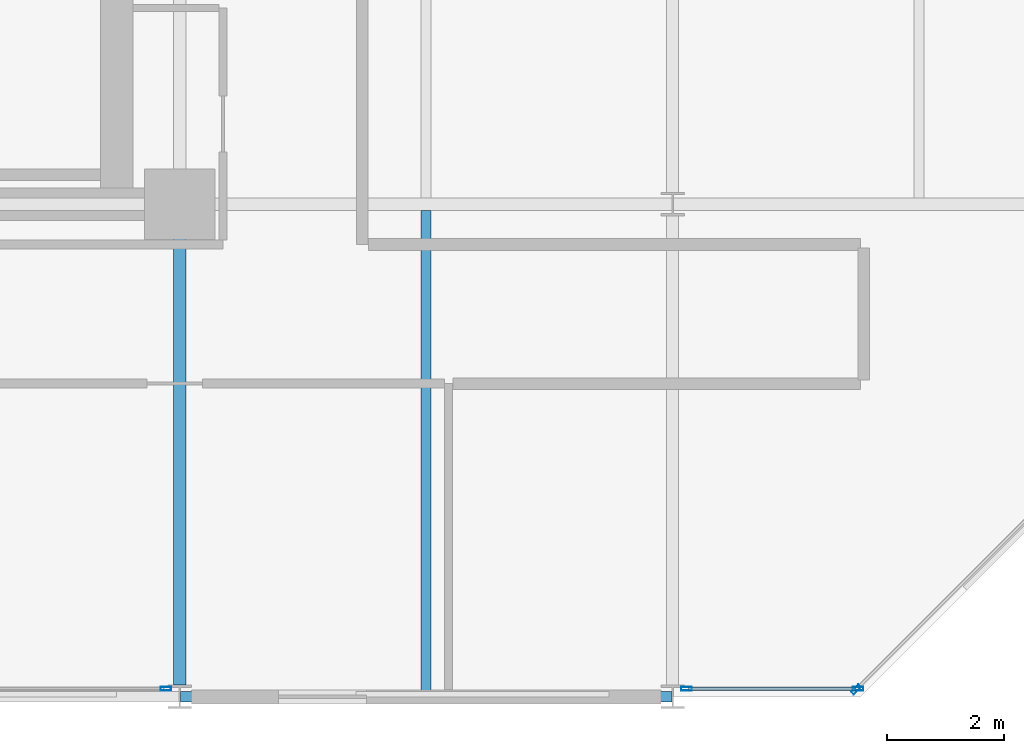
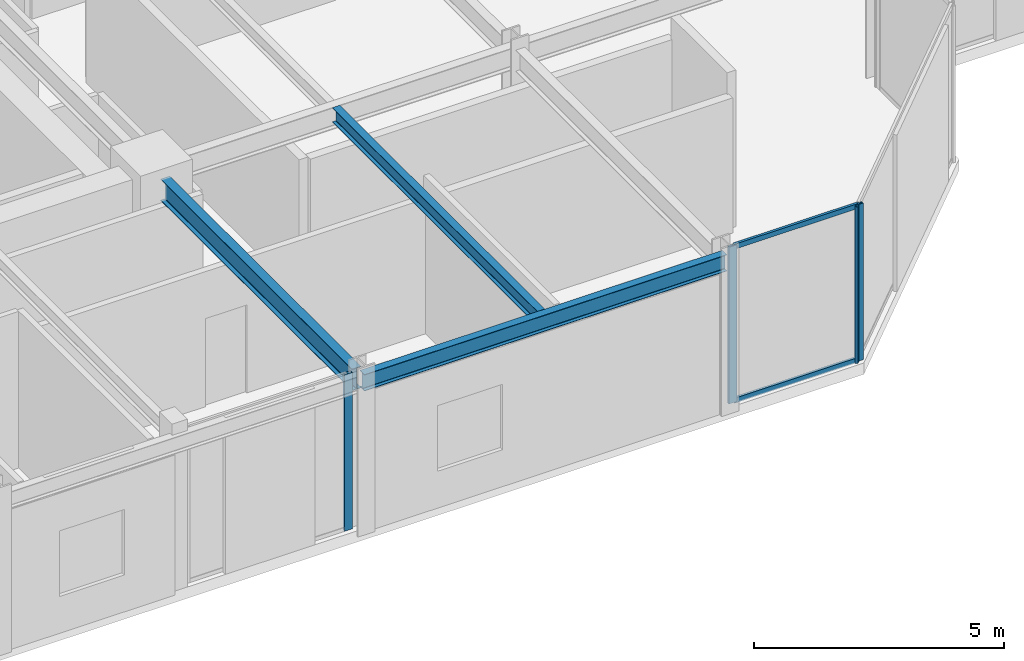
# One storey, part 16 of 38: 6 members, 3 beams, 3 elements without a shape of their own.
"""IFC4 building model written with IfcOpenShell, lengths in metres."""

import ifcopenshell
import ifcopenshell.guid

model = None  # the IFC model being written
_history = None  # IfcOwnerHistory: only IFC2X3 demands one
_inside = {}  # id of a spatial element -> (the spatial element, [elements in it])
_under = {}  # id of a project, library or spatial element -> (it, [spatial elements below it])
_declared = {}  # id of a project -> (the project, [libraries it declares])
_typed = {}  # id of a type object -> (the type object, [elements of that type])
_made_of = {}  # id of a material, layer set ... -> (it, [elements and type objects made of it])


def new_model(schema):
    """Start an empty IFC model of exactly this schema.

    Asked for "IFC4X3", IfcOpenShell would pick the latest addendum, in which some entities
    have other attributes; the version numbers below select the first issue.
    IFC2X3 requires an IfcOwnerHistory on every rooted entity: one is made here for all.
    """
    global model, _history
    if schema == "IFC4X3":
        model = ifcopenshell.file(schema_version=(4, 3, 0, 0))
    else:
        model = ifcopenshell.file(schema=schema)
    _inside.clear()
    _under.clear()
    _declared.clear()
    _typed.clear()
    _made_of.clear()
    _history = None
    if model.schema == "IFC2X3":
        org = make("IfcOrganization", Name="unknown")
        user = make(
            "IfcPersonAndOrganization",
            ThePerson=make("IfcPerson", FamilyName="unknown"),
            TheOrganization=org,
        )
        app = make(
            "IfcApplication",
            ApplicationDeveloper=org,
            Version="unknown",
            ApplicationFullName="unknown",
            ApplicationIdentifier="unknown",
        )
        _history = make(
            "IfcOwnerHistory",
            OwningUser=user,
            OwningApplication=app,
            ChangeAction="ADDED",
            CreationDate=0,
        )
    return model


def make(cls, **values):
    """One entity of the class cls with the attributes given. An attribute that is None is left unset."""
    return model.create_entity(
        cls, **{name: value for name, value in values.items() if value is not None}
    )


def rooted(cls, **values):
    """An entity with a GlobalId (a new one), such as an element, a storey or a relation."""
    return make(cls, GlobalId=ifcopenshell.guid.new(), OwnerHistory=_history, **values)


def si_unit(unit_type, name, prefix=None):
    """IfcSIUnit, for example si_unit("LENGTHUNIT", "METRE", prefix="MILLI")."""
    return make("IfcSIUnit", UnitType=unit_type, Prefix=prefix, Name=name)


def assignment(units):
    """IfcUnitAssignment: the units of a project."""
    return None if units is None else make("IfcUnitAssignment", Units=units)


def point(xyz):
    """IfcCartesianPoint."""
    return None if xyz is None else make("IfcCartesianPoint", Coordinates=xyz)


def direction(xyz):
    """IfcDirection."""
    return None if xyz is None else make("IfcDirection", DirectionRatios=xyz)


def frame(location, z_axis=None, x_axis=None):
    """IfcAxis2Placement3D, a coordinate frame: its origin and axes. An axis left out is left unset."""
    return make(
        "IfcAxis2Placement3D",
        Location=point(location),
        Axis=direction(z_axis),
        RefDirection=direction(x_axis),
    )


def frame_2d(location, x_axis=None):
    """IfcAxis2Placement2D, a coordinate frame in the plane: its origin and x axis."""
    return make(
        "IfcAxis2Placement2D", Location=point(location), RefDirection=direction(x_axis)
    )


def origin():
    """The frame at (0, 0, 0) with its axes left unset."""
    return frame((0.0, 0.0, 0.0))


def origin_2d():
    """The frame at (0, 0) in the plane with its x axis left unset."""
    return frame_2d((0.0, 0.0))


def place(relative_to, where):
    """IfcLocalPlacement: puts the frame where relative to a parent placement (None: the world)."""
    return make(
        "IfcLocalPlacement", PlacementRelTo=relative_to, RelativePlacement=where
    )


def context(
    kind, dimensions, precision=None, world=None, true_north=None, identifier=None
):
    """IfcGeometricRepresentationContext, for example the 3D "Model" context."""
    return make(
        "IfcGeometricRepresentationContext",
        ContextIdentifier=identifier,
        ContextType=kind,
        CoordinateSpaceDimension=dimensions,
        Precision=precision,
        WorldCoordinateSystem=world,
        TrueNorth=true_north,
    )


def subcontext(parent, identifier, kind, view, scale=None):
    """IfcGeometricRepresentationSubContext, for example "Body" below "Model"."""
    return make(
        "IfcGeometricRepresentationSubContext",
        ContextIdentifier=identifier,
        ContextType=kind,
        ParentContext=parent,
        TargetScale=scale,
        TargetView=view,
    )


def project(units=None, contexts=None):
    """IfcProject with its units and contexts."""
    return rooted(
        "IfcProject",
        Name="project",
        RepresentationContexts=contexts,
        UnitsInContext=assignment(units),
    )


def spatial(cls, under=None, at=None, **own):
    """A site, building, storey or space (cls), placed at a placement, below another one or the project."""
    s = rooted(cls, ObjectPlacement=at, **own)
    if under is not None:
        _under.setdefault(under.id(), (under, []))[1].append(s)
    return s


def profile(cls, at=None, kind="AREA", **sizes):
    """A parametric profile (cls). Its sizes go by their IFC names, for example OverallWidth=200.0."""
    return make(cls, ProfileType=kind, Position=at, **sizes)


def hollow_rectangle(**sizes):
    """IfcRectangleHollowProfileDef."""
    return profile("IfcRectangleHollowProfileDef", **sizes)


def i_section(**sizes):
    """IfcIShapeProfileDef."""
    return profile("IfcIShapeProfileDef", **sizes)


def extrude(swept, where, along, depth):
    """IfcExtrudedAreaSolid: the profile swept, set in the frame where, extruded along a direction by depth."""
    return make(
        "IfcExtrudedAreaSolid",
        SweptArea=swept,
        Position=where,
        ExtrudedDirection=direction(along),
        Depth=depth,
    )


def shape(context_of_items, identifier, shape_type, items):
    """IfcShapeRepresentation: the items that make up one representation, for example the "Body"."""
    return make(
        "IfcShapeRepresentation",
        ContextOfItems=context_of_items,
        RepresentationIdentifier=identifier,
        RepresentationType=shape_type,
        Items=items,
    )


def material(Name=None, Category=None):
    """IfcMaterial."""
    return make("IfcMaterial", Name=Name, Category=Category)


def layer(
    of_material, thickness, ventilated=None, Name=None, Category=None, Priority=None
):
    """IfcMaterialLayer: one layer of a wall or slab, of a material (None: an air gap)."""
    return make(
        "IfcMaterialLayer",
        Material=of_material,
        LayerThickness=thickness,
        IsVentilated=ventilated,
        Name=Name,
        Category=Category,
        Priority=Priority,
    )


def layer_set(layers, Name=None):
    """IfcMaterialLayerSet."""
    return make("IfcMaterialLayerSet", MaterialLayers=layers, LayerSetName=Name)


def material_profile(
    of_material, cross_section, Name=None, Category=None, Priority=None
):
    """IfcMaterialProfile: a cross section and its material."""
    return make(
        "IfcMaterialProfile",
        Name=Name,
        Material=of_material,
        Profile=cross_section,
        Priority=Priority,
        Category=Category,
    )


def profile_set(profiles, Name=None, composite=None):
    """IfcMaterialProfileSet."""
    return make(
        "IfcMaterialProfileSet",
        Name=Name,
        MaterialProfiles=profiles,
        CompositeProfile=composite,
    )


def made_of(thing, what):
    """Note that an element or type object is made of a material, layer set ...; save() writes the relation."""
    if what is not None:
        _made_of.setdefault(what.id(), (what, []))[1].append(thing)
    return thing


def type_object(cls, material=None, **own):
    """A type object (cls), such as IfcWallType, which elements share."""
    return made_of(rooted(cls, **own), material)


def element(
    cls,
    number,
    at=None,
    inside=None,
    cuts=None,
    type_object=None,
    material=None,
    context=None,
    identifier="Body",
    shape_type=None,
    held_by="IfcProductDefinitionShape",
    body=None,
    shapes=None,
    **own,
):
    """One element of the class cls, such as IfcWall. Its Tag is "e" and its number.

    at: its placement. inside: the storey or other place that contains it. cuts: it is an
    opening in that element (IfcRelVoidsElement). A single representation is given by context,
    identifier, shape_type and body (its items); several are given by shapes. held_by: the class
    of the entity that holds the representations. save() writes the other relations.
    """
    e = rooted(cls, Tag="e%d" % number, ObjectPlacement=at, **own)
    if body is not None:
        shapes = [shape(context, identifier, shape_type, body)]
    if shapes is not None:
        e.Representation = make(held_by, Representations=shapes)
    if inside is not None:
        _inside.setdefault(inside.id(), (inside, []))[1].append(e)
    if cuts is not None:
        rooted(
            "IfcRelVoidsElement", RelatingBuildingElement=cuts, RelatedOpeningElement=e
        )
    if type_object is not None:
        _typed.setdefault(type_object.id(), (type_object, []))[1].append(e)
    return made_of(e, material)


def aggregate(whole, parts):
    """IfcRelAggregates: a whole, such as a stair, and the parts it consists of."""
    return rooted("IfcRelAggregates", RelatingObject=whole, RelatedObjects=parts)


def save(model, path):
    """Write the relations noted so far, then the file.

    IfcRelAggregates (storeys below a building ...), IfcRelContainedInSpatialStructure (elements
    in a storey), IfcRelDefinesByType, IfcRelAssociatesMaterial and IfcRelDeclares: one each for
    every whole, place, type object, material and project.
    """
    for whole, parts in _under.values():
        aggregate(whole, parts)
    for where, things in _inside.values():
        rooted(
            "IfcRelContainedInSpatialStructure",
            RelatedElements=things,
            RelatingStructure=where,
        )
    for kind, things in _typed.values():
        rooted("IfcRelDefinesByType", RelatedObjects=things, RelatingType=kind)
    for what, things in _made_of.values():
        rooted("IfcRelAssociatesMaterial", RelatedObjects=things, RelatingMaterial=what)
    for by, libraries in _declared.values():
        rooted("IfcRelDeclares", RelatingContext=by, RelatedDefinitions=libraries)
    model.write(path)


model = new_model("IFC4")

# Units and contexts
model_context = context("Model", 3, precision=1e-05, world=origin(), true_north=direction((0.0, 1.0)))
body_context = subcontext(model_context, "Body", "Model", "MODEL_VIEW")
ifc_project = project(units=[si_unit("LENGTHUNIT", "METRE"), si_unit("AREAUNIT", "SQUARE_METRE"), si_unit("VOLUMEUNIT", "CUBIC_METRE"), si_unit("PLANEANGLEUNIT", "RADIAN"), si_unit("MASSUNIT", "GRAM", prefix="KILO")], contexts=[model_context])

# Site, building, storey
site_placement = place(None, origin())
site = spatial("IfcSite", under=ifc_project, at=site_placement, CompositionType="ELEMENT")
building_placement = place(site_placement, origin())
building = spatial("IfcBuilding", under=site, at=building_placement, Name="Nerrivon Quay Data Exchange", CompositionType="ELEMENT")
storey_placement = place(building_placement, frame((0.0, 0.0, 84.39990234375)))
storey = spatial("IfcBuildingStorey", under=building, at=storey_placement, Name="L19", CompositionType="ELEMENT", Elevation=84.39990234375)

# Beams
ifc_material_1 = material(Name="Steel Grade 350", Category="steel")
ifc_material_profile_1 = material_profile(ifc_material_1, i_section(OverallWidth=0.208984375, OverallDepth=0.528076171875, WebThickness=0.009521484375, FlangeThickness=0.01318359375, FilletRadius=0.013916015625, at=origin_2d()), Name="530UB82.0")
ifc_profile_set_1 = profile_set([ifc_material_profile_1], Name="Steel Grade 350")
beam_type_1 = type_object("IfcBeamType", Name="BM-G4-530UB82", PredefinedType="BEAM", material=ifc_profile_set_1)
beam_1_placement = place(storey_placement, frame((33.60009765625, 0.199951171875, 3.56103515625), z_axis=(0.0, 1.0, 0.0), x_axis=(-1.0, 0.0, 0.0)))
element("IfcBeam", 1, at=beam_1_placement, inside=storey, type_object=beam_type_1, Name="L19 NS Girder X=33.6 (0.0..8.4)", PredefinedType="BEAM", context=body_context, shape_type="SweptSolid", body=[
    extrude(i_section(OverallWidth=0.208984375, OverallDepth=0.528076171875, WebThickness=0.009521484375, FlangeThickness=0.01318359375, FilletRadius=0.013916015625, at=origin_2d()), origin(), (0.0, 0.0, 1.0), 7.66015625),
])
ifc_material_profile_2 = material_profile(ifc_material_1, i_section(OverallWidth=0.1708984375, OverallDepth=0.35595703125, WebThickness=0.00732421875, FlangeThickness=0.011474609375, FilletRadius=0.011474609375, at=origin_2d()), Name="360UB50.7")
ifc_profile_set_2 = profile_set([ifc_material_profile_2], Name="Steel Grade 350")
beam_type_2 = type_object("IfcBeamType", Name="BM-J4-360UB51", PredefinedType="JOIST", material=ifc_profile_set_2)
beam_2_placement = place(storey_placement, frame((37.800048828125, 0.089111328125, 3.647216796875), z_axis=(0.0, 1.0, 0.0), x_axis=(-1.0, 0.0, 0.0)))
element("IfcBeam", 2, at=beam_2_placement, inside=storey, type_object=beam_type_2, Name="L19 Secondary Joist X=37.8 (0.0..8.4)", PredefinedType="JOIST", context=body_context, shape_type="SweptSolid", body=[
    extrude(i_section(OverallWidth=0.1708984375, OverallDepth=0.35595703125, WebThickness=0.00732421875, FlangeThickness=0.011474609375, FilletRadius=0.011474609375, at=origin_2d()), origin(), (0.0, 0.0, 1.0), 8.206298828125),
])
ifc_material_profile_3 = material_profile(ifc_material_1, i_section(OverallWidth=0.177978515625, OverallDepth=0.403076171875, WebThickness=0.007568359375, FlangeThickness=0.010986328125, FilletRadius=0.011474609375, at=origin_2d()), Name="410UB53.7")
ifc_profile_set_3 = profile_set([ifc_material_profile_3], Name="Steel Grade 350")
beam_type_3 = type_object("IfcBeamType", Name="BM-SP2-410UB54", PredefinedType="SPANDREL", material=ifc_profile_set_3)
beam_3_placement = place(storey_placement, frame((33.612548828125, 0.0, 3.62353515625), z_axis=(1.0, 0.0, 0.0), x_axis=(0.0, 1.0, 0.0)))
element("IfcBeam", 3, at=beam_3_placement, inside=storey, type_object=beam_type_3, Name="L19 EW Girder Y=0.0 (33.6..42.0)", PredefinedType="SPANDREL", context=body_context, shape_type="SweptSolid", body=[
    extrude(i_section(OverallWidth=0.177978515625, OverallDepth=0.403076171875, WebThickness=0.007568359375, FlangeThickness=0.010986328125, FilletRadius=0.011474609375, at=origin_2d()), origin(), (0.0, 0.0, 1.0), 8.375),
])

# Curtain wall, member
ifc_material_2 = material(Name="Anodised aluminium 6063-T6", Category="aluminium")
ifc_layer = layer(ifc_material_2, 0.2099609375)
ifc_layer_set = layer_set([ifc_layer], Name="Anodised aluminium 6063-T6")
curtain_wall_type = type_object("IfcCurtainWallType", Name="CW-SYS-02", PredefinedType="NOTDEFINED", material=ifc_layer_set)
curtain_wall_1_placement = place(storey_placement, origin())
curtain_wall_1 = element("IfcCurtainWall", 4, at=curtain_wall_1_placement, inside=storey, type_object=curtain_wall_type, Name="L19 Unitised Curtain Wall 5", PredefinedType="NOTDEFINED")
ifc_material_profile_4 = material_profile(ifc_material_2, hollow_rectangle(XDim=0.06494140625, YDim=0.179931640625, WallThickness=0.00341796875, at=origin_2d()), Name="ALU-MULL-180x65")
ifc_profile_set_4 = profile_set([ifc_material_profile_4], Name="Anodised aluminium 6063-T6")
member_type_1 = type_object("IfcMemberType", Name="CWM-180x65", PredefinedType="MULLION", material=ifc_profile_set_4)
member_1_placement = place(storey_placement, frame((45.12744140625, 0.12548828125, 0.0), z_axis=(0.0, 0.0, 1.0), x_axis=(0.707106781187, -0.707106781187, 0.0)))
member_1 = element("IfcMember", 5, at=member_1_placement, type_object=member_type_1, Name="CW02 mullion 2", PredefinedType="MULLION", context=body_context, shape_type="SweptSolid", body=[
    extrude(hollow_rectangle(XDim=0.06494140625, YDim=0.179931640625, WallThickness=0.00341796875, at=origin_2d()), origin(), (0.0, 0.0, 1.0), 3.8251953125),
])
aggregate(curtain_wall_1, [member_1])

# Curtain wall, members
curtain_wall_2_placement = place(storey_placement, origin())
curtain_wall_2 = element("IfcCurtainWall", 6, at=curtain_wall_2_placement, inside=storey, type_object=curtain_wall_type, Name="L19 Unitised Curtain Wall 6", PredefinedType="NOTDEFINED")
member_2_placement = place(storey_placement, frame((45.16259765625, 0.139892578125, 0.0), z_axis=(0.0, 0.0, 1.0), x_axis=(0.0, -1.0, 0.0)))
member_2 = element("IfcMember", 7, at=member_2_placement, type_object=member_type_1, Name="CW02 mullion 1", PredefinedType="MULLION", context=body_context, shape_type="SweptSolid", body=[
    extrude(hollow_rectangle(XDim=0.06494140625, YDim=0.179931640625, WallThickness=0.00341796875, at=origin_2d()), origin(), (0.0, 0.0, 1.0), 3.8251953125),
])
member_3_placement = place(storey_placement, frame((42.237548828125, 0.139892578125, 0.0), z_axis=(0.0, 0.0, 1.0), x_axis=(0.0, -1.0, 0.0)))
member_3 = element("IfcMember", 8, at=member_3_placement, type_object=member_type_1, Name="CW02 mullion 2", PredefinedType="MULLION", context=body_context, shape_type="SweptSolid", body=[
    extrude(hollow_rectangle(XDim=0.06494140625, YDim=0.179931640625, WallThickness=0.00341796875, at=origin_2d()), origin(), (0.0, 0.0, 1.0), 3.8251953125),
])

# Curtain wall, member
curtain_wall_3_placement = place(storey_placement, origin())
curtain_wall_3 = element("IfcCurtainWall", 9, at=curtain_wall_3_placement, inside=storey, type_object=curtain_wall_type, Name="L19 Unitised Curtain Wall 8", PredefinedType="NOTDEFINED")
member_4_placement = place(storey_placement, frame((33.362548828125, 0.139892578125, 0.0), z_axis=(0.0, 0.0, 1.0), x_axis=(0.0, -1.0, 0.0)))
member_4 = element("IfcMember", 10, at=member_4_placement, type_object=member_type_1, Name="CW02 mullion 1", PredefinedType="MULLION", context=body_context, shape_type="SweptSolid", body=[
    extrude(hollow_rectangle(XDim=0.06494140625, YDim=0.179931640625, WallThickness=0.00341796875, at=origin_2d()), origin(), (0.0, 0.0, 1.0), 3.8251953125),
])
aggregate(curtain_wall_3, [member_4])

# Member
ifc_material_profile_5 = material_profile(ifc_material_2, hollow_rectangle(XDim=0.06005859375, YDim=0.1201171875, WallThickness=0.003173828125, at=origin_2d()), Name="ALU-TRAN-120x60")
ifc_profile_set_5 = profile_set([ifc_material_profile_5], Name="Anodised aluminium 6063-T6")
member_type_2 = type_object("IfcMemberType", Name="CWT-120x60", PredefinedType="USERDEFINED", material=ifc_profile_set_5)
member_5_placement = place(storey_placement, frame((45.125, 0.139892578125, 0.03271484375), z_axis=(-1.0, 0.0, 0.0), x_axis=(0.0, -1.0, 0.0)))
member_5 = element("IfcMember", 11, at=member_5_placement, type_object=member_type_2, Name="CW02 transom 1.1", ObjectType="TRANSOM", PredefinedType="USERDEFINED", context=body_context, shape_type="SweptSolid", body=[
    extrude(hollow_rectangle(XDim=0.06005859375, YDim=0.1201171875, WallThickness=0.003173828125, at=origin_2d()), origin(), (0.0, 0.0, 1.0), 2.85009765625),
])

member_6_placement = place(storey_placement, frame((45.125, 0.139892578125, 3.79248046875), z_axis=(-1.0, 0.0, 0.0), x_axis=(0.0, -1.0, 0.0)))
member_6 = element("IfcMember", 12, at=member_6_placement, type_object=member_type_2, Name="CW02 transom 1.2", ObjectType="TRANSOM", PredefinedType="USERDEFINED", context=body_context, shape_type="SweptSolid", body=[
    extrude(hollow_rectangle(XDim=0.06005859375, YDim=0.1201171875, WallThickness=0.003173828125, at=origin_2d()), origin(), (0.0, 0.0, 1.0), 2.85009765625),
])

aggregate(curtain_wall_2, [member_2, member_3, member_5, member_6])

save(model, "model.ifc")
